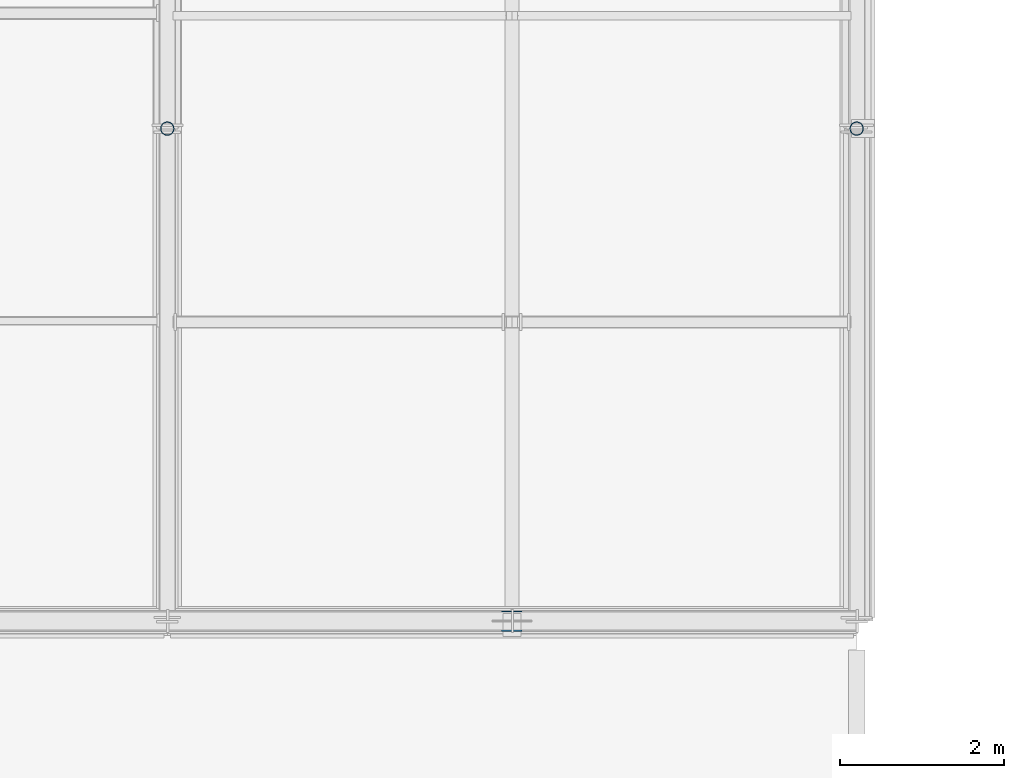
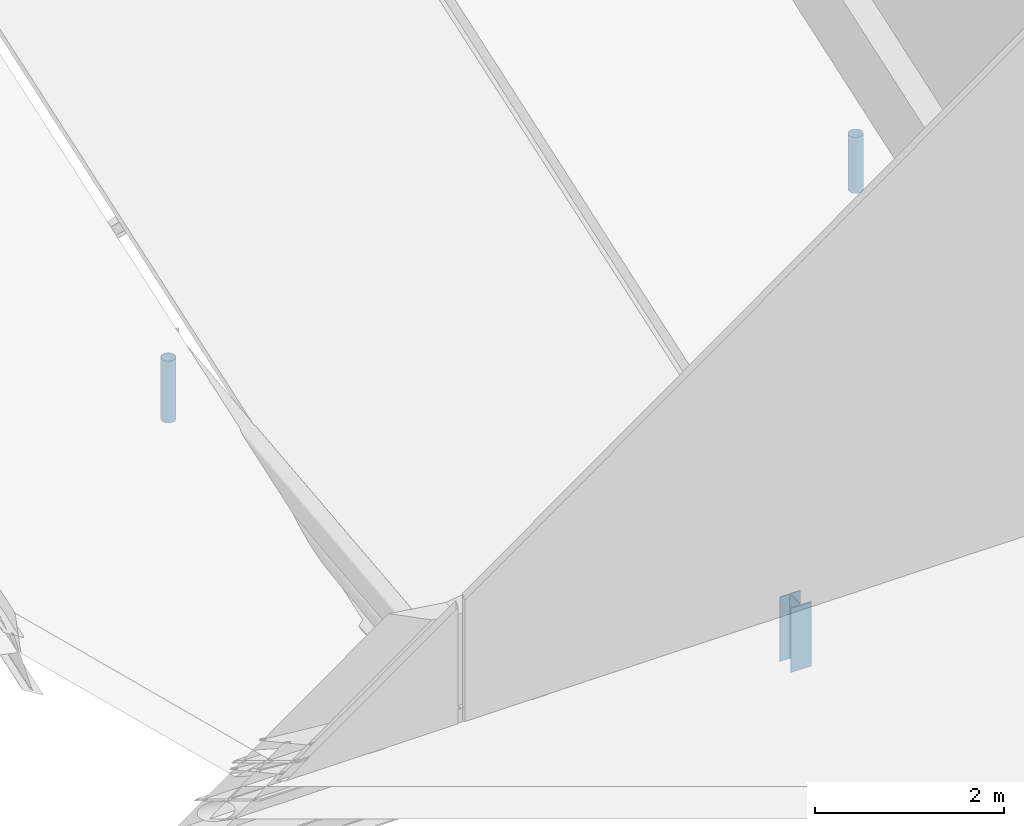
# One storey, part 47 of 77: 3 members.
"""IFC4 building model written with IfcOpenShell, lengths in metres."""

from ifc_helpers import new_model, si_unit, direction, frame, origin, origin_2d, place, context, subcontext, project, spatial, hollow_circle, i_section, extrude, material, material_profile, profile_set, type_object, element, save


model = new_model("IFC4")

# Units and contexts
model_context = context("Model", 3, precision=1e-05, world=origin(), true_north=direction((0.0, 1.0)))
body_context = subcontext(model_context, "Body", "Model", "MODEL_VIEW")
ifc_project = project(units=[si_unit("LENGTHUNIT", "METRE"), si_unit("AREAUNIT", "SQUARE_METRE"), si_unit("VOLUMEUNIT", "CUBIC_METRE"), si_unit("PLANEANGLEUNIT", "RADIAN"), si_unit("MASSUNIT", "GRAM", prefix="KILO")], contexts=[model_context])

# Site, building, storey
site_placement = place(None, origin())
site = spatial("IfcSite", under=ifc_project, at=site_placement, CompositionType="ELEMENT")
building_placement = place(site_placement, origin())
building = spatial("IfcBuilding", under=site, at=building_placement, Name="Larkvane Passage Sports Hall", CompositionType="ELEMENT")
storey_placement = place(building_placement, frame((0.0, 0.0, 22.199951171875)))
storey = spatial("IfcBuildingStorey", under=building, at=storey_placement, Name="RF", CompositionType="ELEMENT", Elevation=22.199951171875)

# Members
ifc_material = material(Name="Steel S355JR", Category="steel")
ifc_material_profile_1 = material_profile(ifc_material, hollow_circle(Radius=0.08251953125, WallThickness=0.006103515625, at=origin_2d()), Name="CHS-165.2x6.0")
ifc_profile_set_1 = profile_set([ifc_material_profile_1], Name="Steel S355JR")
member_type_1 = type_object("IfcMemberType", Name="MBR-ST-CHS165", PredefinedType="STRUT", material=ifc_profile_set_1)
member_1_placement = place(storey_placement, frame((85.199951171875, 45.60009765625, 0.215087890625), z_axis=(0.0, 0.0, 1.0), x_axis=(1.0, 0.0, 0.0)))
element("IfcMember", 1, at=member_1_placement, inside=storey, type_object=member_type_1, Name="Arena roof truss 7 vertical strut 1", PredefinedType="STRUT", context=body_context, shape_type="SweptSolid", body=[
    extrude(hollow_circle(Radius=0.08251953125, WallThickness=0.006103515625, at=origin_2d()), origin(), (0.0, 0.0, 1.0), 0.797607421875),
])
member_2_placement = place(storey_placement, frame((93.60009765625, 45.60009765625, 0.239990234375), z_axis=(0.0, 0.0, 1.0), x_axis=(1.0, 0.0, 0.0)))
element("IfcMember", 2, at=member_2_placement, inside=storey, type_object=member_type_1, Name="Arena roof truss 8 vertical strut 1", PredefinedType="STRUT", context=body_context, shape_type="SweptSolid", body=[
    extrude(hollow_circle(Radius=0.08251953125, WallThickness=0.006103515625, at=origin_2d()), origin(), (0.0, 0.0, 1.0), 0.72265625),
])
ifc_material_profile_2 = material_profile(ifc_material, i_section(OverallWidth=0.25, OverallDepth=0.25, WebThickness=0.009033203125, FlangeThickness=0.013916015625, FilletRadius=0.012939453125, at=origin_2d()), Name="H-250x250x9x14")
ifc_profile_set_2 = profile_set([ifc_material_profile_2], Name="Steel S355JR")
member_type_2 = type_object("IfcMemberType", Name="MBR-ST-H250", PredefinedType="STRUT", material=ifc_profile_set_2)
member_3_placement = place(storey_placement, frame((89.39990234375, 39.60009765625, -0.780029296875), z_axis=(0.0, 0.0, 1.0), x_axis=(1.0, 0.0, 0.0)))
element("IfcMember", 3, at=member_3_placement, inside=storey, type_object=member_type_2, Name="Arena south valley eave truss post 7", PredefinedType="STRUT", context=body_context, shape_type="SweptSolid", body=[
    extrude(i_section(OverallWidth=0.25, OverallDepth=0.25, WebThickness=0.009033203125, FlangeThickness=0.013916015625, FilletRadius=0.012939453125, at=origin_2d()), origin(), (0.0, 0.0, 1.0), 0.830078125),
])

save(model, "model.ifc")
